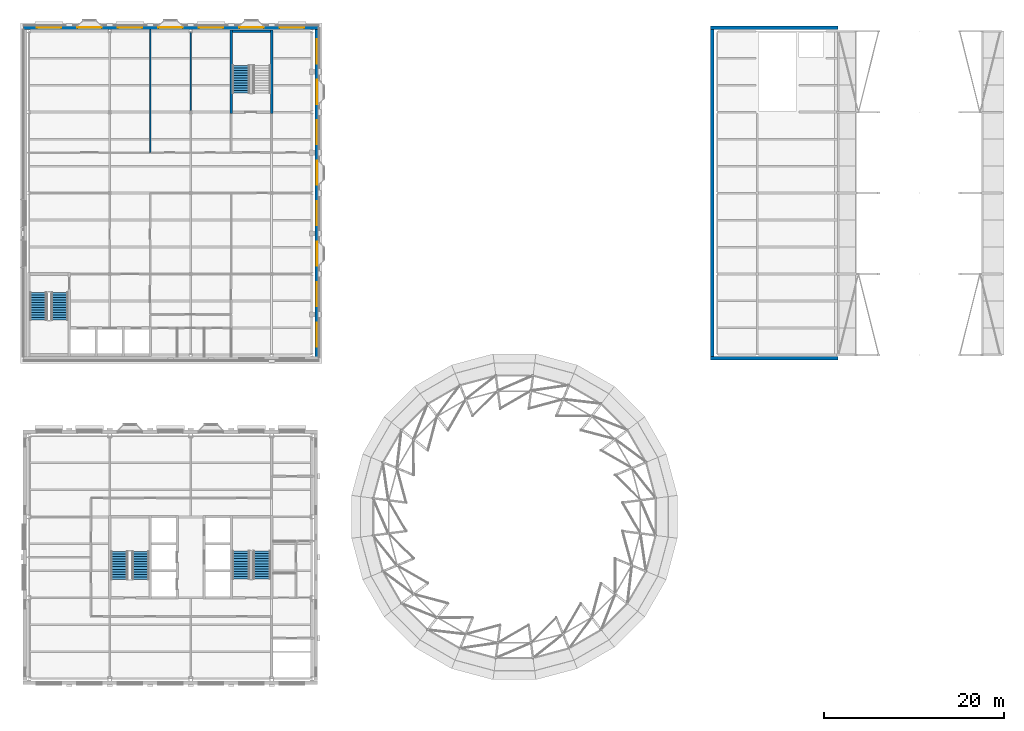
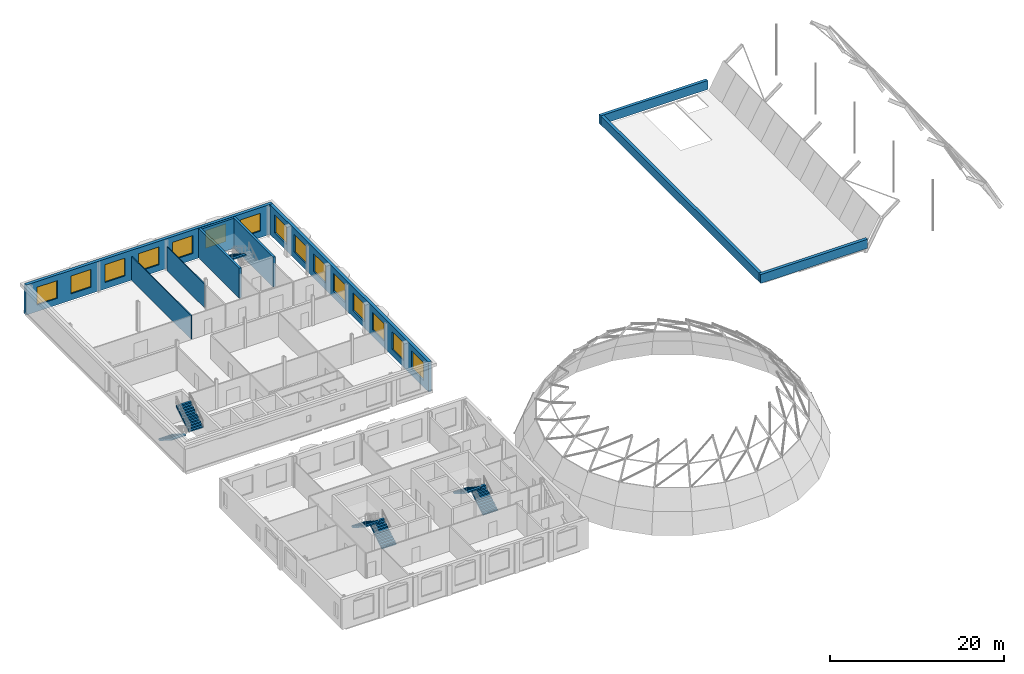
# One storey, part 37 of 62: 15 windows, 10 walls, 7 stair flights, 15 openings, 4 elements without a shape of their own.
"""IFC4 building model written with IfcOpenShell, lengths in metres."""

from ifc_helpers import new_model, si_unit, direction, frame, frame_2d, origin, place, context, subcontext, project, spatial, polyline, rectangle, outline, extrude, material, layer, layer_set, type_object, element, fill, aggregate, save


model = new_model("IFC4")

# Units and contexts
model_context = context("Model", 3, precision=1e-05, world=origin(), true_north=direction((0.0, 1.0)))
body_context = subcontext(model_context, "Body", "Model", "MODEL_VIEW")
ifc_project = project(units=[si_unit("LENGTHUNIT", "METRE"), si_unit("AREAUNIT", "SQUARE_METRE"), si_unit("VOLUMEUNIT", "CUBIC_METRE"), si_unit("PLANEANGLEUNIT", "RADIAN"), si_unit("MASSUNIT", "GRAM", prefix="KILO")], contexts=[model_context])

# Site, building, storey
site_placement = place(None, origin())
site = spatial("IfcSite", under=ifc_project, at=site_placement, CompositionType="ELEMENT")
building_placement = place(site_placement, origin())
building = spatial("IfcBuilding", under=site, at=building_placement, Name="Hortulan Conservatory and Botanical Research Centre", CompositionType="ELEMENT")
storey_placement = place(building_placement, frame((0.0, 0.0, 15.0)))
storey = spatial("IfcBuildingStorey", under=building, at=storey_placement, Name="L03", CompositionType="ELEMENT", Elevation=15.0)

# Walls
ifc_material_1 = material(Name="Concrete N40 (40 MPa, AS 3600)", Category="concrete")
ifc_layer_1 = layer(ifc_material_1, 0.300048828125)
ifc_layer_set_1 = layer_set([ifc_layer_1], Name="Core Wall 300 N40 FRL 180/120/120")
wall_type_1 = type_object("IfcWallType", Name="Core Wall 300 N40 FRL 180/120/120", PredefinedType="SHEAR", material=ifc_layer_set_1)
for number, where, z_axis, x_axis, name in (
    (1, (22.5, 62.85009765625, 0.0), (0.0, 0.0, 1.0), (0.0, 1.0, 0.0), "Reinforced concrete shaft wall"),
    (2, (27.0, 62.85009765625, 0.0), (0.0, 0.0, 1.0), (0.0, 1.0, 0.0), "Reinforced concrete shaft wall"),
):
    element("IfcWall", number, at=place(storey_placement, frame(where, z_axis=z_axis, x_axis=x_axis)), inside=storey, type_object=wall_type_1, Name=name, PredefinedType="SHEAR", context=body_context, shape_type="SweptSolid", body=[
        extrude(rectangle(XDim=9.2998046875, YDim=0.300048828125, at=frame_2d((4.64990234375, 0.0))), origin(), (0.0, 0.0, 1.0), 4.199951171875),
    ])
wall_1_placement = place(storey_placement, frame((22.64990234375, 72.0, 0.0), z_axis=(0.0, 0.0, 1.0), x_axis=(1.0, 0.0, 0.0)))
element("IfcWall", 3, at=wall_1_placement, inside=storey, type_object=wall_type_1, Name="Reinforced concrete shaft wall", PredefinedType="SHEAR", context=body_context, shape_type="SweptSolid", body=[
    extrude(rectangle(XDim=4.2001953125, YDim=0.300048828125, at=frame_2d((2.10009765625, 0.0))), origin(), (0.0, 0.0, 1.0), 4.199951171875),
])

# Wall, openings, windows
ifc_material_2 = material(Name="Faience-faced brickwork masonry", Category="masonry")
ifc_layer_2 = layer(ifc_material_2, 0.39990234375)
ifc_layer_set_2 = layer_set([ifc_layer_2], Name="Faience-faced Masonry Cavity Wall 400")
wall_type_2 = type_object("IfcWallType", Name="Faience-faced Masonry Cavity Wall 400", PredefinedType="STANDARD", material=ifc_layer_set_2)
wall_2_placement = place(storey_placement, frame((-0.57958984375, 72.385498046875, 0.0), z_axis=(0.0, 0.0, 1.0), x_axis=(1.0, 0.0, 0.0)))
wall_2 = element("IfcWall", 4, at=wall_2_placement, inside=storey, type_object=wall_type_2, Name="E-EW-VC-L03-N3", PredefinedType="STANDARD", context=body_context, shape_type="SweptSolid", body=[
    extrude(rectangle(XDim=32.8046875, YDim=0.39990234375, at=frame_2d((16.40234375, 0.0))), origin(), (0.0, 0.0, 1.0), 4.199951171875),
])
opening_1_placement = place(wall_2_placement, frame((1.4794921875, 0.0, 0.89990234375)))
opening_1 = element("IfcOpeningElement", 5, at=opening_1_placement, cuts=wall_2, Name="Opening W4", PredefinedType="OPENING", context=body_context, shape_type="SweptSolid", body=[
    extrude(rectangle(XDim=2.699951171875, YDim=2.5, at=frame_2d((1.35009765625, 1.25))), frame((0.0, 0.2099609375, 0.0), z_axis=(0.0, -1.0, 0.0), x_axis=(1.0, 0.0, 0.0)), (0.0, 0.0, 1.0), 0.419921875),
])
opening_2_placement = place(wall_2_placement, frame((5.9794921875, 0.0, 0.89990234375)))
opening_2 = element("IfcOpeningElement", 6, at=opening_2_placement, cuts=wall_2, Name="Opening W4", PredefinedType="OPENING", context=body_context, shape_type="SweptSolid", body=[
    extrude(rectangle(XDim=2.699951171875, YDim=2.5, at=frame_2d((1.35009765625, 1.25))), frame((0.0, 0.2099609375, 0.0), z_axis=(0.0, -1.0, 0.0), x_axis=(1.0, 0.0, 0.0)), (0.0, 0.0, 1.0), 0.419921875),
])
opening_3_placement = place(wall_2_placement, frame((10.4794921875, 0.0, 0.89990234375)))
opening_3 = element("IfcOpeningElement", 7, at=opening_3_placement, cuts=wall_2, Name="Opening W4", PredefinedType="OPENING", context=body_context, shape_type="SweptSolid", body=[
    extrude(rectangle(XDim=2.699951171875, YDim=2.5, at=frame_2d((1.35009765625, 1.25))), frame((0.0, 0.2099609375, 0.0), z_axis=(0.0, -1.0, 0.0), x_axis=(1.0, 0.0, 0.0)), (0.0, 0.0, 1.0), 0.419921875),
])
opening_4_placement = place(wall_2_placement, frame((14.9794921875, 0.0, 0.89990234375)))
opening_4 = element("IfcOpeningElement", 8, at=opening_4_placement, cuts=wall_2, Name="Opening W4", PredefinedType="OPENING", context=body_context, shape_type="SweptSolid", body=[
    extrude(rectangle(XDim=2.699951171875, YDim=2.5, at=frame_2d((1.35009765625, 1.25))), frame((0.0, 0.2099609375, 0.0), z_axis=(0.0, -1.0, 0.0), x_axis=(1.0, 0.0, 0.0)), (0.0, 0.0, 1.0), 0.419921875),
])
opening_5_placement = place(wall_2_placement, frame((19.4794921875, 0.0, 0.89990234375)))
opening_5 = element("IfcOpeningElement", 9, at=opening_5_placement, cuts=wall_2, Name="Opening W4", PredefinedType="OPENING", context=body_context, shape_type="SweptSolid", body=[
    extrude(rectangle(XDim=2.699951171875, YDim=2.5, at=frame_2d((1.35009765625, 1.25))), frame((0.0, 0.2099609375, 0.0), z_axis=(0.0, -1.0, 0.0), x_axis=(1.0, 0.0, 0.0)), (0.0, 0.0, 1.0), 0.419921875),
])
opening_6_placement = place(wall_2_placement, frame((23.9794921875, 0.0, 0.89990234375)))
opening_6 = element("IfcOpeningElement", 10, at=opening_6_placement, cuts=wall_2, Name="Opening W4", PredefinedType="OPENING", context=body_context, shape_type="SweptSolid", body=[
    extrude(rectangle(XDim=2.699951171875, YDim=2.5, at=frame_2d((1.35009765625, 1.25))), frame((0.0, 0.2099609375, 0.0), z_axis=(0.0, -1.0, 0.0), x_axis=(1.0, 0.0, 0.0)), (0.0, 0.0, 1.0), 0.419921875),
])
opening_7_placement = place(wall_2_placement, frame((28.4794921875, 0.0, 0.89990234375)))
opening_7 = element("IfcOpeningElement", 11, at=opening_7_placement, cuts=wall_2, Name="Opening W4", PredefinedType="OPENING", context=body_context, shape_type="SweptSolid", body=[
    extrude(rectangle(XDim=2.699951171875, YDim=2.5, at=frame_2d((1.35009765625, 1.25))), frame((0.0, 0.2099609375, 0.0), z_axis=(0.0, -1.0, 0.0), x_axis=(1.0, 0.0, 0.0)), (0.0, 0.0, 1.0), 0.419921875),
])
ifc_material_3 = material(Name="Bronze-finished aluminium frame with low-e laminated double glazing", Category="aluminium")
window_type = type_object("IfcWindowType", Name="Faience Window 2700x2500", PartitioningType="SINGLE_PANEL", PredefinedType="WINDOW", material=ifc_material_3)
window_1_placement = place(opening_1_placement, origin())
window_1 = element("IfcWindow", 12, at=window_1_placement, inside=storey, type_object=window_type, Name="Faience window", OverallHeight=2.5, OverallWidth=2.699951171875, PartitioningType="SINGLE_PANEL", PredefinedType="WINDOW", context=body_context, shape_type="SweptSolid", body=[
    extrude(rectangle(XDim=2.699951171875, YDim=2.5, at=frame_2d((1.35009765625, 1.25))), frame((0.0, 0.030029296875, 0.0), z_axis=(0.0, -1.0, 0.0), x_axis=(1.0, 0.0, 0.0)), (0.0, 0.0, 1.0), 0.06005859375),
])
fill(opening_1, window_1)
window_2_placement = place(opening_2_placement, origin())
window_2 = element("IfcWindow", 13, at=window_2_placement, inside=storey, type_object=window_type, Name="Faience window", OverallHeight=2.5, OverallWidth=2.699951171875, PartitioningType="SINGLE_PANEL", PredefinedType="WINDOW", context=body_context, shape_type="SweptSolid", body=[
    extrude(rectangle(XDim=2.699951171875, YDim=2.5, at=frame_2d((1.35009765625, 1.25))), frame((0.0, 0.030029296875, 0.0), z_axis=(0.0, -1.0, 0.0), x_axis=(1.0, 0.0, 0.0)), (0.0, 0.0, 1.0), 0.06005859375),
])
fill(opening_2, window_2)
window_3_placement = place(opening_3_placement, origin())
window_3 = element("IfcWindow", 14, at=window_3_placement, inside=storey, type_object=window_type, Name="Faience window", OverallHeight=2.5, OverallWidth=2.699951171875, PartitioningType="SINGLE_PANEL", PredefinedType="WINDOW", context=body_context, shape_type="SweptSolid", body=[
    extrude(rectangle(XDim=2.699951171875, YDim=2.5, at=frame_2d((1.35009765625, 1.25))), frame((0.0, 0.030029296875, 0.0), z_axis=(0.0, -1.0, 0.0), x_axis=(1.0, 0.0, 0.0)), (0.0, 0.0, 1.0), 0.06005859375),
])
fill(opening_3, window_3)
window_4_placement = place(opening_4_placement, origin())
window_4 = element("IfcWindow", 15, at=window_4_placement, inside=storey, type_object=window_type, Name="Faience window", OverallHeight=2.5, OverallWidth=2.699951171875, PartitioningType="SINGLE_PANEL", PredefinedType="WINDOW", context=body_context, shape_type="SweptSolid", body=[
    extrude(rectangle(XDim=2.699951171875, YDim=2.5, at=frame_2d((1.35009765625, 1.25))), frame((0.0, 0.030029296875, 0.0), z_axis=(0.0, -1.0, 0.0), x_axis=(1.0, 0.0, 0.0)), (0.0, 0.0, 1.0), 0.06005859375),
])
fill(opening_4, window_4)
window_5_placement = place(opening_5_placement, origin())
window_5 = element("IfcWindow", 16, at=window_5_placement, inside=storey, type_object=window_type, Name="Faience window", OverallHeight=2.5, OverallWidth=2.699951171875, PartitioningType="SINGLE_PANEL", PredefinedType="WINDOW", context=body_context, shape_type="SweptSolid", body=[
    extrude(rectangle(XDim=2.699951171875, YDim=2.5, at=frame_2d((1.35009765625, 1.25))), frame((0.0, 0.030029296875, 0.0), z_axis=(0.0, -1.0, 0.0), x_axis=(1.0, 0.0, 0.0)), (0.0, 0.0, 1.0), 0.06005859375),
])
fill(opening_5, window_5)
window_6_placement = place(opening_6_placement, origin())
window_6 = element("IfcWindow", 17, at=window_6_placement, inside=storey, type_object=window_type, Name="Faience window", OverallHeight=2.5, OverallWidth=2.699951171875, PartitioningType="SINGLE_PANEL", PredefinedType="WINDOW", context=body_context, shape_type="SweptSolid", body=[
    extrude(rectangle(XDim=2.699951171875, YDim=2.5, at=frame_2d((1.35009765625, 1.25))), frame((0.0, 0.030029296875, 0.0), z_axis=(0.0, -1.0, 0.0), x_axis=(1.0, 0.0, 0.0)), (0.0, 0.0, 1.0), 0.06005859375),
])
fill(opening_6, window_6)
window_7_placement = place(opening_7_placement, origin())
window_7 = element("IfcWindow", 18, at=window_7_placement, inside=storey, type_object=window_type, Name="Faience window", OverallHeight=2.5, OverallWidth=2.699951171875, PartitioningType="SINGLE_PANEL", PredefinedType="WINDOW", context=body_context, shape_type="SweptSolid", body=[
    extrude(rectangle(XDim=2.699951171875, YDim=2.5, at=frame_2d((1.35009765625, 1.25))), frame((0.0, 0.030029296875, 0.0), z_axis=(0.0, -1.0, 0.0), x_axis=(1.0, 0.0, 0.0)), (0.0, 0.0, 1.0), 0.06005859375),
])
fill(opening_7, window_7)

wall_3_placement = place(storey_placement, frame((32.02490234375, 72.324951171875, 0.0), z_axis=(0.0, 0.0, 1.0), x_axis=(0.0, -1.0, 0.0)))
wall_3 = element("IfcWall", 19, at=wall_3_placement, inside=storey, type_object=wall_type_2, Name="E-EW-VC-L03-E4", PredefinedType="STANDARD", context=body_context, shape_type="SweptSolid", body=[
    extrude(rectangle(XDim=36.64990234375, YDim=0.39990234375, at=frame_2d((18.324951171875, 0.0))), origin(), (0.0, 0.0, 1.0), 4.199951171875),
])
opening_8_placement = place(wall_3_placement, frame((32.72509765625, 0.0, 0.89990234375)))
opening_8 = element("IfcOpeningElement", 20, at=opening_8_placement, cuts=wall_3, Name="Opening W4", PredefinedType="OPENING", context=body_context, shape_type="SweptSolid", body=[
    extrude(rectangle(XDim=2.699951171875, YDim=2.5, at=frame_2d((1.35009765625, 1.25))), frame((0.0, 0.2099609375, 0.0), z_axis=(0.0, -1.0, 0.0), x_axis=(1.0, 0.0, 0.0)), (0.0, 0.0, 1.0), 0.419921875),
])
opening_9_placement = place(wall_3_placement, frame((28.22509765625, 0.0, 0.89990234375)))
opening_9 = element("IfcOpeningElement", 21, at=opening_9_placement, cuts=wall_3, Name="Opening W4", PredefinedType="OPENING", context=body_context, shape_type="SweptSolid", body=[
    extrude(rectangle(XDim=2.699951171875, YDim=2.5, at=frame_2d((1.35009765625, 1.25))), frame((0.0, 0.2099609375, 0.0), z_axis=(0.0, -1.0, 0.0), x_axis=(1.0, 0.0, 0.0)), (0.0, 0.0, 1.0), 0.419921875),
])
opening_10_placement = place(wall_3_placement, frame((23.72509765625, 0.0, 0.89990234375)))
opening_10 = element("IfcOpeningElement", 22, at=opening_10_placement, cuts=wall_3, Name="Opening W4", PredefinedType="OPENING", context=body_context, shape_type="SweptSolid", body=[
    extrude(rectangle(XDim=2.699951171875, YDim=2.5, at=frame_2d((1.35009765625, 1.25))), frame((0.0, 0.2099609375, 0.0), z_axis=(0.0, -1.0, 0.0), x_axis=(1.0, 0.0, 0.0)), (0.0, 0.0, 1.0), 0.419921875),
])
opening_11_placement = place(wall_3_placement, frame((19.22509765625, 0.0, 0.89990234375)))
opening_11 = element("IfcOpeningElement", 23, at=opening_11_placement, cuts=wall_3, Name="Opening W4", PredefinedType="OPENING", context=body_context, shape_type="SweptSolid", body=[
    extrude(rectangle(XDim=2.699951171875, YDim=2.5, at=frame_2d((1.35009765625, 1.25))), frame((0.0, 0.2099609375, 0.0), z_axis=(0.0, -1.0, 0.0), x_axis=(1.0, 0.0, 0.0)), (0.0, 0.0, 1.0), 0.419921875),
])
opening_12_placement = place(wall_3_placement, frame((14.72509765625, 0.0, 0.89990234375)))
opening_12 = element("IfcOpeningElement", 24, at=opening_12_placement, cuts=wall_3, Name="Opening W4", PredefinedType="OPENING", context=body_context, shape_type="SweptSolid", body=[
    extrude(rectangle(XDim=2.699951171875, YDim=2.5, at=frame_2d((1.35009765625, 1.25))), frame((0.0, 0.2099609375, 0.0), z_axis=(0.0, -1.0, 0.0), x_axis=(1.0, 0.0, 0.0)), (0.0, 0.0, 1.0), 0.419921875),
])
opening_13_placement = place(wall_3_placement, frame((10.22509765625, 0.0, 0.89990234375)))
opening_13 = element("IfcOpeningElement", 25, at=opening_13_placement, cuts=wall_3, Name="Opening W4", PredefinedType="OPENING", context=body_context, shape_type="SweptSolid", body=[
    extrude(rectangle(XDim=2.699951171875, YDim=2.5, at=frame_2d((1.35009765625, 1.25))), frame((0.0, 0.2099609375, 0.0), z_axis=(0.0, -1.0, 0.0), x_axis=(1.0, 0.0, 0.0)), (0.0, 0.0, 1.0), 0.419921875),
])
opening_14_placement = place(wall_3_placement, frame((5.72509765625, 0.0, 0.89990234375)))
opening_14 = element("IfcOpeningElement", 26, at=opening_14_placement, cuts=wall_3, Name="Opening W4", PredefinedType="OPENING", context=body_context, shape_type="SweptSolid", body=[
    extrude(rectangle(XDim=2.699951171875, YDim=2.5, at=frame_2d((1.35009765625, 1.25))), frame((0.0, 0.2099609375, 0.0), z_axis=(0.0, -1.0, 0.0), x_axis=(1.0, 0.0, 0.0)), (0.0, 0.0, 1.0), 0.419921875),
])
opening_15_placement = place(wall_3_placement, frame((1.22509765625, 0.0, 0.89990234375)))
opening_15 = element("IfcOpeningElement", 27, at=opening_15_placement, cuts=wall_3, Name="Opening W4", PredefinedType="OPENING", context=body_context, shape_type="SweptSolid", body=[
    extrude(rectangle(XDim=2.699951171875, YDim=2.5, at=frame_2d((1.35009765625, 1.25))), frame((0.0, 0.2099609375, 0.0), z_axis=(0.0, -1.0, 0.0), x_axis=(1.0, 0.0, 0.0)), (0.0, 0.0, 1.0), 0.419921875),
])
window_8_placement = place(opening_8_placement, origin())
window_8 = element("IfcWindow", 28, at=window_8_placement, inside=storey, type_object=window_type, Name="Faience window", OverallHeight=2.5, OverallWidth=2.699951171875, PartitioningType="SINGLE_PANEL", PredefinedType="WINDOW", context=body_context, shape_type="SweptSolid", body=[
    extrude(rectangle(XDim=2.699951171875, YDim=2.5, at=frame_2d((1.35009765625, 1.25))), frame((0.0, 0.030029296875, 0.0), z_axis=(0.0, -1.0, 0.0), x_axis=(1.0, 0.0, 0.0)), (0.0, 0.0, 1.0), 0.06005859375),
])
fill(opening_8, window_8)
window_9_placement = place(opening_9_placement, origin())
window_9 = element("IfcWindow", 29, at=window_9_placement, inside=storey, type_object=window_type, Name="Faience window", OverallHeight=2.5, OverallWidth=2.699951171875, PartitioningType="SINGLE_PANEL", PredefinedType="WINDOW", context=body_context, shape_type="SweptSolid", body=[
    extrude(rectangle(XDim=2.699951171875, YDim=2.5, at=frame_2d((1.35009765625, 1.25))), frame((0.0, 0.030029296875, 0.0), z_axis=(0.0, -1.0, 0.0), x_axis=(1.0, 0.0, 0.0)), (0.0, 0.0, 1.0), 0.06005859375),
])
fill(opening_9, window_9)
window_10_placement = place(opening_10_placement, origin())
window_10 = element("IfcWindow", 30, at=window_10_placement, inside=storey, type_object=window_type, Name="Faience window", OverallHeight=2.5, OverallWidth=2.699951171875, PartitioningType="SINGLE_PANEL", PredefinedType="WINDOW", context=body_context, shape_type="SweptSolid", body=[
    extrude(rectangle(XDim=2.699951171875, YDim=2.5, at=frame_2d((1.35009765625, 1.25))), frame((0.0, 0.030029296875, 0.0), z_axis=(0.0, -1.0, 0.0), x_axis=(1.0, 0.0, 0.0)), (0.0, 0.0, 1.0), 0.06005859375),
])
fill(opening_10, window_10)
window_11_placement = place(opening_11_placement, origin())
window_11 = element("IfcWindow", 31, at=window_11_placement, inside=storey, type_object=window_type, Name="Faience window", OverallHeight=2.5, OverallWidth=2.699951171875, PartitioningType="SINGLE_PANEL", PredefinedType="WINDOW", context=body_context, shape_type="SweptSolid", body=[
    extrude(rectangle(XDim=2.699951171875, YDim=2.5, at=frame_2d((1.35009765625, 1.25))), frame((0.0, 0.030029296875, 0.0), z_axis=(0.0, -1.0, 0.0), x_axis=(1.0, 0.0, 0.0)), (0.0, 0.0, 1.0), 0.06005859375),
])
fill(opening_11, window_11)
window_12_placement = place(opening_12_placement, origin())
window_12 = element("IfcWindow", 32, at=window_12_placement, inside=storey, type_object=window_type, Name="Faience window", OverallHeight=2.5, OverallWidth=2.699951171875, PartitioningType="SINGLE_PANEL", PredefinedType="WINDOW", context=body_context, shape_type="SweptSolid", body=[
    extrude(rectangle(XDim=2.699951171875, YDim=2.5, at=frame_2d((1.35009765625, 1.25))), frame((0.0, 0.030029296875, 0.0), z_axis=(0.0, -1.0, 0.0), x_axis=(1.0, 0.0, 0.0)), (0.0, 0.0, 1.0), 0.06005859375),
])
fill(opening_12, window_12)
window_13_placement = place(opening_13_placement, origin())
window_13 = element("IfcWindow", 33, at=window_13_placement, inside=storey, type_object=window_type, Name="Faience window", OverallHeight=2.5, OverallWidth=2.699951171875, PartitioningType="SINGLE_PANEL", PredefinedType="WINDOW", context=body_context, shape_type="SweptSolid", body=[
    extrude(rectangle(XDim=2.699951171875, YDim=2.5, at=frame_2d((1.35009765625, 1.25))), frame((0.0, 0.030029296875, 0.0), z_axis=(0.0, -1.0, 0.0), x_axis=(1.0, 0.0, 0.0)), (0.0, 0.0, 1.0), 0.06005859375),
])
fill(opening_13, window_13)
window_14_placement = place(opening_14_placement, origin())
window_14 = element("IfcWindow", 34, at=window_14_placement, inside=storey, type_object=window_type, Name="Faience window", OverallHeight=2.5, OverallWidth=2.699951171875, PartitioningType="SINGLE_PANEL", PredefinedType="WINDOW", context=body_context, shape_type="SweptSolid", body=[
    extrude(rectangle(XDim=2.699951171875, YDim=2.5, at=frame_2d((1.35009765625, 1.25))), frame((0.0, 0.030029296875, 0.0), z_axis=(0.0, -1.0, 0.0), x_axis=(1.0, 0.0, 0.0)), (0.0, 0.0, 1.0), 0.06005859375),
])
fill(opening_14, window_14)
window_15_placement = place(opening_15_placement, origin())
window_15 = element("IfcWindow", 35, at=window_15_placement, inside=storey, type_object=window_type, Name="Faience window", OverallHeight=2.5, OverallWidth=2.699951171875, PartitioningType="SINGLE_PANEL", PredefinedType="WINDOW", context=body_context, shape_type="SweptSolid", body=[
    extrude(rectangle(XDim=2.699951171875, YDim=2.5, at=frame_2d((1.35009765625, 1.25))), frame((0.0, 0.030029296875, 0.0), z_axis=(0.0, -1.0, 0.0), x_axis=(1.0, 0.0, 0.0)), (0.0, 0.0, 1.0), 0.06005859375),
])
fill(opening_15, window_15)

# Walls
ifc_layer_3 = layer(ifc_material_2, 0.39990234375)
ifc_layer_set_3 = layer_set([ifc_layer_3], Name="Faience-faced Masonry Cavity Wall 400 Parapet 400")
wall_type_3 = type_object("IfcWallType", Name="Faience-faced Masonry Cavity Wall 400 Parapet 400", PredefinedType="PARAPET", material=ifc_layer_set_3)
wall_4_placement = place(storey_placement, frame((90.0, 35.62060546875, 0.0), z_axis=(0.0, 0.0, 1.0), x_axis=(-1.0, 0.0, 0.0)))
element("IfcWall", 36, at=wall_4_placement, inside=storey, type_object=wall_type_3, Name="Parapet", PredefinedType="PARAPET", context=body_context, shape_type="SweptSolid", body=[
    extrude(rectangle(XDim=14.22509765625, YDim=0.39990234375, at=frame_2d((7.112548828125, 0.0))), origin(), (0.0, 0.0, 1.0), 1.25),
])
wall_5_placement = place(storey_placement, frame((75.97509765625, 35.675048828125, 0.0), z_axis=(0.0, 0.0, 1.0), x_axis=(0.0, 1.0, 0.0)))
element("IfcWall", 37, at=wall_5_placement, inside=storey, type_object=wall_type_3, Name="Parapet", PredefinedType="PARAPET", context=body_context, shape_type="SweptSolid", body=[
    extrude(rectangle(XDim=36.64990234375, YDim=0.39990234375, at=frame_2d((18.324951171875, 0.0))), origin(), (0.0, 0.0, 1.0), 1.25),
])
wall_6_placement = place(storey_placement, frame((75.77490234375, 72.37939453125, 0.0), z_axis=(0.0, 0.0, 1.0), x_axis=(1.0, 0.0, 0.0)))
element("IfcWall", 38, at=wall_6_placement, inside=storey, type_object=wall_type_3, Name="Parapet", PredefinedType="PARAPET", context=body_context, shape_type="SweptSolid", body=[
    extrude(rectangle(XDim=14.22509765625, YDim=0.39990234375, at=frame_2d((7.112548828125, 0.0))), origin(), (0.0, 0.0, 1.0), 1.25),
])
ifc_material_4 = material(Name="Plasterboard on steel studs", Category="steel")
ifc_layer_4 = layer(ifc_material_4, 0.125)
ifc_layer_set_4 = layer_set([ifc_layer_4], Name="Partition 125")
wall_type_4 = type_object("IfcWallType", Name="Partition 125", PredefinedType="PARTITIONING", material=ifc_layer_set_4)
wall_7_placement = place(storey_placement, frame((13.5, 58.5, 0.0), z_axis=(0.0, 0.0, 1.0), x_axis=(0.0, 1.0, 0.0)))
element("IfcWall", 39, at=wall_7_placement, inside=storey, type_object=wall_type_4, Name="Partition Learning Library and Visitor Services Office 2 L03", PredefinedType="PARTITIONING", context=body_context, shape_type="SweptSolid", body=[
    extrude(rectangle(XDim=13.675537109375, YDim=0.125, at=frame_2d((6.837890625, 0.0))), origin(), (0.0, 0.0, 1.0), 3.337890625),
])
wall_8_placement = place(storey_placement, frame((18.0, 63.16748046875, 0.0), z_axis=(0.0, 0.0, 1.0), x_axis=(0.0, 1.0, 0.0)))
element("IfcWall", 40, at=wall_8_placement, inside=storey, type_object=wall_type_4, Name="Partition Visitor Services Office 2 and Visitor Services Office 3 L03", PredefinedType="PARTITIONING", context=body_context, shape_type="SweptSolid", body=[
    extrude(rectangle(XDim=8.6650390625, YDim=0.125, at=frame_2d((4.33251953125, 0.0))), origin(), (0.0, 0.0, 1.0), 3.337890625),
])

# Stair, stair flights
stair_type_1 = type_object("IfcStairType", Name="Concrete Escape Stair 1900", PredefinedType="HALF_TURN_STAIR", material=ifc_material_1)
stair_1_placement = place(storey_placement, origin())
stair_1 = element("IfcStair", 41, at=stair_1_placement, inside=storey, type_object=stair_type_1, Name="Stair T1 L03", PredefinedType="HALF_TURN_STAIR")
ifc_layer_5 = layer(ifc_material_1, 0.14990234375)
ifc_layer_set_5 = layer_set([ifc_layer_5], Name="Stair Flight 1900 wide, riser 175")
stair_flight_type_1 = type_object("IfcStairFlightType", Name="Stair Flight 1900 wide, riser 175", PredefinedType="STRAIGHT", material=ifc_layer_set_5)
stair_flight_1_placement = place(storey_placement, frame((12.39990234375, 11.050048828125, 0.0), z_axis=(0.0, 0.0, 1.0), x_axis=(0.0, 1.0, 0.0)))
stair_flight_1 = element("IfcStairFlight", 42, at=stair_flight_1_placement, type_object=stair_flight_type_1, Name="Stair T1 L03 flight 1", NumberOfRisers=12, NumberOfTreads=11, PredefinedType="STRAIGHT", RiserHeight=0.175, TreadLength=0.28, context=body_context, shape_type="SweptSolid", body=[
    extrude(outline(polyline([(0.0, 0.0), (0.0, 0.175048828125), (0.280029296875, 0.175048828125), (0.280029296875, 0.35009765625), (0.56005859375, 0.35009765625), (0.56005859375, 0.52490234375), (0.840087890625, 0.52490234375), (0.840087890625, 0.699951171875), (1.1201171875, 0.699951171875), (1.1201171875, 0.875), (1.39990234375, 0.875), (1.39990234375, 1.050048828125), (1.679931640625, 1.050048828125), (1.679931640625, 1.22509765625), (1.9599609375, 1.22509765625), (1.9599609375, 1.39990234375), (2.239990234375, 1.39990234375), (2.239990234375, 1.574951171875), (2.52001953125, 1.574951171875), (2.52001953125, 1.75), (2.800048828125, 1.75), (2.800048828125, 1.925048828125), (3.080078125, 1.925048828125), (3.080078125, 2.10009765625), (3.080078125, 1.748291015625), (0.28271484375, 0.0), (0.0, 0.0)])), frame((0.0, 0.949951171875, 0.0), z_axis=(0.0, -1.0, 0.0), x_axis=(1.0, 0.0, 0.0)), (0.0, 0.0, 1.0), 1.89990234375),
])
stair_flight_2_placement = place(storey_placement, frame((10.10009765625, 14.1298828125, 2.10009765625), z_axis=(0.0, 0.0, 1.0), x_axis=(0.0, -1.0, 0.0)))
stair_flight_2 = element("IfcStairFlight", 43, at=stair_flight_2_placement, type_object=stair_flight_type_1, Name="Stair T1 L03 flight 2", NumberOfRisers=12, NumberOfTreads=11, PredefinedType="STRAIGHT", RiserHeight=0.175, TreadLength=0.28, context=body_context, shape_type="SweptSolid", body=[
    extrude(outline(polyline([(0.0, 0.0), (0.0, 0.175048828125), (0.280029296875, 0.175048828125), (0.280029296875, 0.35009765625), (0.56005859375, 0.35009765625), (0.56005859375, 0.52490234375), (0.840087890625, 0.52490234375), (0.840087890625, 0.699951171875), (1.1201171875, 0.699951171875), (1.1201171875, 0.875), (1.39990234375, 0.875), (1.39990234375, 1.050048828125), (1.679931640625, 1.050048828125), (1.679931640625, 1.22509765625), (1.9599609375, 1.22509765625), (1.9599609375, 1.39990234375), (2.239990234375, 1.39990234375), (2.239990234375, 1.574951171875), (2.52001953125, 1.574951171875), (2.52001953125, 1.75), (2.800048828125, 1.75), (2.800048828125, 1.925048828125), (3.080078125, 1.925048828125), (3.080078125, 2.10009765625), (3.080078125, 1.748291015625), (0.28271484375, 0.0), (0.0, 0.0)])), frame((0.0, 0.949951171875, 0.0), z_axis=(0.0, -1.0, 0.0), x_axis=(1.0, 0.0, 0.0)), (0.0, 0.0, 1.0), 1.89990234375),
])
aggregate(stair_1, [stair_flight_1, stair_flight_2])

stair_2_placement = place(storey_placement, origin())
stair_2 = element("IfcStair", 44, at=stair_2_placement, inside=storey, type_object=stair_type_1, Name="Stair V1 L03", PredefinedType="HALF_TURN_STAIR")
stair_flight_3_placement = place(storey_placement, frame((1.10009765625, 42.949951171875, 0.0), z_axis=(0.0, 0.0, 1.0), x_axis=(0.0, -1.0, 0.0)))
stair_flight_3 = element("IfcStairFlight", 45, at=stair_flight_3_placement, type_object=stair_flight_type_1, Name="Stair V1 L03 flight 1", NumberOfRisers=12, NumberOfTreads=11, PredefinedType="STRAIGHT", RiserHeight=0.175, TreadLength=0.28, context=body_context, shape_type="SweptSolid", body=[
    extrude(outline(polyline([(0.0, 0.0), (0.0, 0.175048828125), (0.280029296875, 0.175048828125), (0.280029296875, 0.35009765625), (0.56005859375, 0.35009765625), (0.56005859375, 0.52490234375), (0.840087890625, 0.52490234375), (0.840087890625, 0.699951171875), (1.1201171875, 0.699951171875), (1.1201171875, 0.875), (1.39990234375, 0.875), (1.39990234375, 1.050048828125), (1.679931640625, 1.050048828125), (1.679931640625, 1.22509765625), (1.9599609375, 1.22509765625), (1.9599609375, 1.39990234375), (2.239990234375, 1.39990234375), (2.239990234375, 1.574951171875), (2.52001953125, 1.574951171875), (2.52001953125, 1.75), (2.800048828125, 1.75), (2.800048828125, 1.925048828125), (3.080078125, 1.925048828125), (3.080078125, 2.10009765625), (3.080078125, 1.748291015625), (0.28271484375, 0.0), (0.0, 0.0)])), frame((0.0, 0.949951171875, 0.0), z_axis=(0.0, -1.0, 0.0), x_axis=(1.0, 0.0, 0.0)), (0.0, 0.0, 1.0), 1.89990234375),
])
stair_flight_4_placement = place(storey_placement, frame((3.39990234375, 39.8701171875, 2.10009765625), z_axis=(0.0, 0.0, 1.0), x_axis=(0.0, 1.0, 0.0)))
stair_flight_4 = element("IfcStairFlight", 46, at=stair_flight_4_placement, type_object=stair_flight_type_1, Name="Stair V1 L03 flight 2", NumberOfRisers=12, NumberOfTreads=11, PredefinedType="STRAIGHT", RiserHeight=0.175, TreadLength=0.28, context=body_context, shape_type="SweptSolid", body=[
    extrude(outline(polyline([(0.0, 0.0), (0.0, 0.175048828125), (0.280029296875, 0.175048828125), (0.280029296875, 0.35009765625), (0.56005859375, 0.35009765625), (0.56005859375, 0.52490234375), (0.840087890625, 0.52490234375), (0.840087890625, 0.699951171875), (1.1201171875, 0.699951171875), (1.1201171875, 0.875), (1.39990234375, 0.875), (1.39990234375, 1.050048828125), (1.679931640625, 1.050048828125), (1.679931640625, 1.22509765625), (1.9599609375, 1.22509765625), (1.9599609375, 1.39990234375), (2.239990234375, 1.39990234375), (2.239990234375, 1.574951171875), (2.52001953125, 1.574951171875), (2.52001953125, 1.75), (2.800048828125, 1.75), (2.800048828125, 1.925048828125), (3.080078125, 1.925048828125), (3.080078125, 2.10009765625), (3.080078125, 1.748291015625), (0.28271484375, 0.0), (0.0, 0.0)])), frame((0.0, 0.949951171875, 0.0), z_axis=(0.0, -1.0, 0.0), x_axis=(1.0, 0.0, 0.0)), (0.0, 0.0, 1.0), 1.89990234375),
])
aggregate(stair_2, [stair_flight_3, stair_flight_4])

stair_type_2 = type_object("IfcStairType", Name="Concrete Escape Stair 1950", PredefinedType="HALF_TURN_STAIR", material=ifc_material_1)
stair_3_placement = place(storey_placement, origin())
stair_3 = element("IfcStair", 47, at=stair_3_placement, inside=storey, type_object=stair_type_2, Name="Stair T2 L03", PredefinedType="HALF_TURN_STAIR")
ifc_layer_6 = layer(ifc_material_1, 0.14990234375)
ifc_layer_set_6 = layer_set([ifc_layer_6], Name="Stair Flight 1950 wide, riser 175")
stair_flight_type_2 = type_object("IfcStairFlightType", Name="Stair Flight 1950 wide, riser 175", PredefinedType="STRAIGHT", material=ifc_layer_set_6)
stair_flight_5_placement = place(storey_placement, frame((25.875, 11.10009765625, 0.0), z_axis=(0.0, 0.0, 1.0), x_axis=(0.0, 1.0, 0.0)))
stair_flight_5 = element("IfcStairFlight", 48, at=stair_flight_5_placement, type_object=stair_flight_type_2, Name="Stair T2 L03 flight 1", NumberOfRisers=12, NumberOfTreads=11, PredefinedType="STRAIGHT", RiserHeight=0.175, TreadLength=0.28, context=body_context, shape_type="SweptSolid", body=[
    extrude(outline(polyline([(0.0, 0.0), (0.0, 0.175048828125), (0.280029296875, 0.175048828125), (0.280029296875, 0.35009765625), (0.56005859375, 0.35009765625), (0.56005859375, 0.52490234375), (0.840087890625, 0.52490234375), (0.840087890625, 0.699951171875), (1.1201171875, 0.699951171875), (1.1201171875, 0.875), (1.39990234375, 0.875), (1.39990234375, 1.050048828125), (1.679931640625, 1.050048828125), (1.679931640625, 1.22509765625), (1.9599609375, 1.22509765625), (1.9599609375, 1.39990234375), (2.239990234375, 1.39990234375), (2.239990234375, 1.574951171875), (2.52001953125, 1.574951171875), (2.52001953125, 1.75), (2.800048828125, 1.75), (2.800048828125, 1.925048828125), (3.080078125, 1.925048828125), (3.080078125, 2.10009765625), (3.080078125, 1.748291015625), (0.28271484375, 0.0), (0.0, 0.0)])), frame((0.0, 0.97509765625, 0.0), z_axis=(0.0, -1.0, 0.0), x_axis=(1.0, 0.0, 0.0)), (0.0, 0.0, 1.0), 1.949951171875),
])
stair_flight_6_placement = place(storey_placement, frame((23.625, 14.179931640625, 2.10009765625), z_axis=(0.0, 0.0, 1.0), x_axis=(0.0, -1.0, 0.0)))
stair_flight_6 = element("IfcStairFlight", 49, at=stair_flight_6_placement, type_object=stair_flight_type_2, Name="Stair T2 L03 flight 2", NumberOfRisers=12, NumberOfTreads=11, PredefinedType="STRAIGHT", RiserHeight=0.175, TreadLength=0.28, context=body_context, shape_type="SweptSolid", body=[
    extrude(outline(polyline([(0.0, 0.0), (0.0, 0.175048828125), (0.280029296875, 0.175048828125), (0.280029296875, 0.35009765625), (0.56005859375, 0.35009765625), (0.56005859375, 0.52490234375), (0.840087890625, 0.52490234375), (0.840087890625, 0.699951171875), (1.1201171875, 0.699951171875), (1.1201171875, 0.875), (1.39990234375, 0.875), (1.39990234375, 1.050048828125), (1.679931640625, 1.050048828125), (1.679931640625, 1.22509765625), (1.9599609375, 1.22509765625), (1.9599609375, 1.39990234375), (2.239990234375, 1.39990234375), (2.239990234375, 1.574951171875), (2.52001953125, 1.574951171875), (2.52001953125, 1.75), (2.800048828125, 1.75), (2.800048828125, 1.925048828125), (3.080078125, 1.925048828125), (3.080078125, 2.10009765625), (3.080078125, 1.748291015625), (0.28271484375, 0.0), (0.0, 0.0)])), frame((0.0, 0.97509765625, 0.0), z_axis=(0.0, -1.0, 0.0), x_axis=(1.0, 0.0, 0.0)), (0.0, 0.0, 1.0), 1.949951171875),
])
aggregate(stair_3, [stair_flight_5, stair_flight_6])

# Stair, stair flight
stair_4_placement = place(storey_placement, origin())
stair_4 = element("IfcStair", 50, at=stair_4_placement, inside=storey, type_object=stair_type_2, Name="Stair V2 L03", PredefinedType="HALF_TURN_STAIR")
stair_flight_7_placement = place(storey_placement, frame((23.625, 68.179931640625, 2.10009765625), z_axis=(0.0, 0.0, 1.0), x_axis=(0.0, -1.0, 0.0)))
stair_flight_7 = element("IfcStairFlight", 51, at=stair_flight_7_placement, type_object=stair_flight_type_2, Name="Stair V2 L03 flight 2", NumberOfRisers=12, NumberOfTreads=11, PredefinedType="STRAIGHT", RiserHeight=0.175, TreadLength=0.28, context=body_context, shape_type="SweptSolid", body=[
    extrude(outline(polyline([(0.0, 0.0), (0.0, 0.175048828125), (0.280029296875, 0.175048828125), (0.280029296875, 0.35009765625), (0.56005859375, 0.35009765625), (0.56005859375, 0.52490234375), (0.840087890625, 0.52490234375), (0.840087890625, 0.699951171875), (1.1201171875, 0.699951171875), (1.1201171875, 0.875), (1.39990234375, 0.875), (1.39990234375, 1.050048828125), (1.679931640625, 1.050048828125), (1.679931640625, 1.22509765625), (1.9599609375, 1.22509765625), (1.9599609375, 1.39990234375), (2.239990234375, 1.39990234375), (2.239990234375, 1.574951171875), (2.52001953125, 1.574951171875), (2.52001953125, 1.75), (2.800048828125, 1.75), (2.800048828125, 1.925048828125), (3.080078125, 1.925048828125), (3.080078125, 2.10009765625), (3.080078125, 1.748291015625), (0.28271484375, 0.0), (0.0, 0.0)])), frame((0.0, 0.97509765625, 0.0), z_axis=(0.0, -1.0, 0.0), x_axis=(1.0, 0.0, 0.0)), (0.0, 0.0, 1.0), 1.949951171875),
])
aggregate(stair_4, [stair_flight_7])

save(model, "model.ifc")
